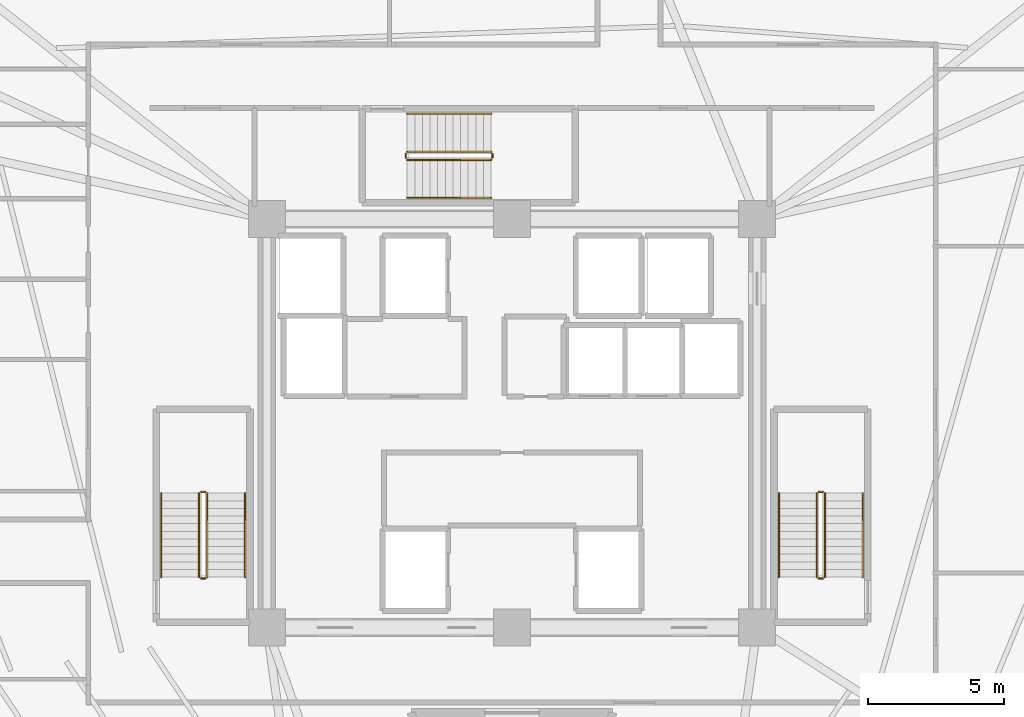
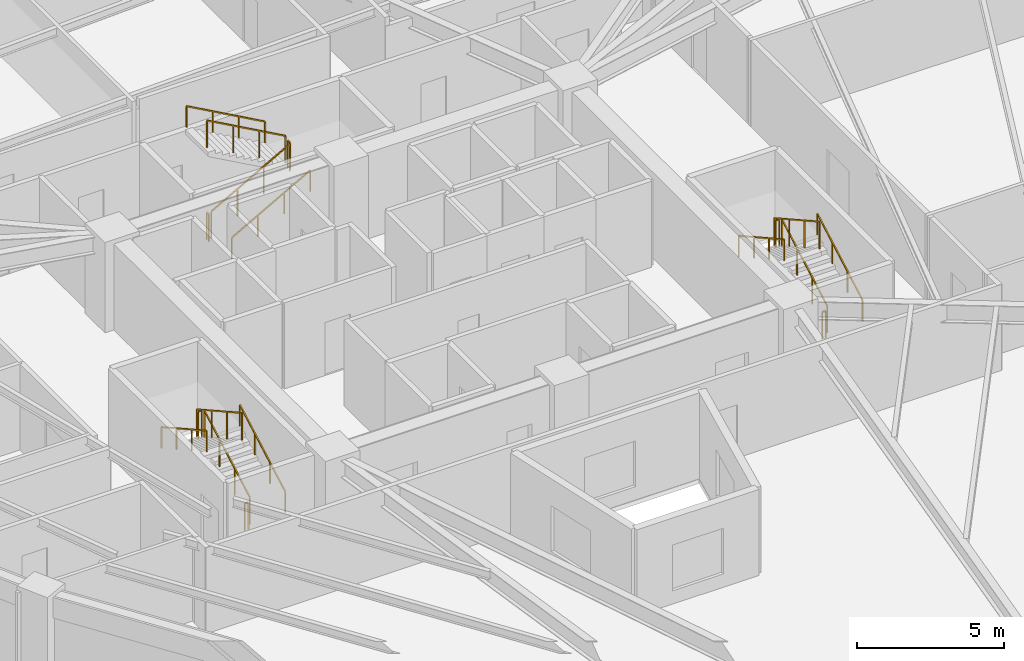
# One storey, part 8 of 9: 18 railings.
"""IFC4 building model written with IfcOpenShell, lengths in metres."""

from ifc_helpers import new_model, si_unit, direction, frame, origin, origin_2d, place, context, subcontext, project, spatial, rectangle, extrude, material, type_object, element, save


model = new_model("IFC4")

# Units and contexts
model_context = context("Model", 3, precision=1e-05, world=origin(), true_north=direction((0.0, 1.0)))
body_context = subcontext(model_context, "Body", "Model", "MODEL_VIEW")
ifc_project = project(units=[si_unit("LENGTHUNIT", "METRE"), si_unit("AREAUNIT", "SQUARE_METRE"), si_unit("VOLUMEUNIT", "CUBIC_METRE"), si_unit("PLANEANGLEUNIT", "RADIAN"), si_unit("MASSUNIT", "GRAM", prefix="KILO")], contexts=[model_context])

# Site, building, storey
site_placement = place(None, origin())
site = spatial("IfcSite", under=ifc_project, at=site_placement, CompositionType="ELEMENT")
building_placement = place(site_placement, origin())
building = spatial("IfcBuilding", under=site, at=building_placement, Name="Liaohun Quay Tower", CompositionType="ELEMENT")
storey_placement = place(building_placement, frame((0.0, 0.0, 236.25)))
storey = spatial("IfcBuildingStorey", under=building, at=storey_placement, Name="L61", CompositionType="ELEMENT", Elevation=236.25)

# Railings
ifc_material_1 = material(Name="Painted tubular steel", Category="steel")
railing_type_1 = type_object("IfcRailingType", Name="RLG-GUARD-STR", PredefinedType="GUARDRAIL", material=ifc_material_1)
railing_1_placement = place(storey_placement, frame((48.81005859375, 48.35009765625, 0.15625)))
element("IfcRailing", 1, at=railing_1_placement, inside=storey, type_object=railing_type_1, Name="L61 ST-1 stair guard 1", PredefinedType="GUARDRAIL", context=body_context, shape_type="SweptSolid", body=[
    extrude(rectangle(XDim=0.048095703125, YDim=0.048095703125, at=origin_2d()), frame((0.0, 0.0, 1.1259765625), z_axis=(0.0, 0.873225103656, 0.487317061414), x_axis=(-1.0, 0.0, 0.0)), (0.0, 0.0, 1.0), 3.52685546875),
    extrude(rectangle(XDim=0.0419921875, YDim=0.0419921875, at=origin_2d()), origin(), (0.0, 0.0, 1.0), 1.101806640625),
    extrude(rectangle(XDim=0.0419921875, YDim=0.0419921875, at=origin_2d()), frame((0.0, 1.026611328125, 0.572998046875)), (0.0, 0.0, 1.0), 1.101806640625),
    extrude(rectangle(XDim=0.0419921875, YDim=0.0419921875, at=origin_2d()), frame((0.0, 2.05322265625, 1.145751953125)), (0.0, 0.0, 1.0), 1.101806640625),
    extrude(rectangle(XDim=0.0419921875, YDim=0.0419921875, at=origin_2d()), frame((0.0, 3.079833984375, 1.71875)), (0.0, 0.0, 1.0), 1.101806640625),
])
railing_2_placement = place(storey_placement, frame((48.72998046875, 51.47998046875, 1.875)))
element("IfcRailing", 2, at=railing_2_placement, inside=storey, type_object=railing_type_1, Name="L61 ST-1 stair guard 2", PredefinedType="GUARDRAIL", context=body_context, shape_type="SweptSolid", body=[
    extrude(rectangle(XDim=0.048095703125, YDim=0.048095703125, at=origin_2d()), frame((0.0, 0.0, 1.1259765625), z_axis=(-1.0, 0.0, 0.0), x_axis=(0.0, -1.0, 0.0)), (0.0, 0.0, 1.0), 0.139892578125),
    extrude(rectangle(XDim=0.0419921875, YDim=0.0419921875, at=origin_2d()), origin(), (0.0, 0.0, 1.0), 1.101806640625),
    extrude(rectangle(XDim=0.0419921875, YDim=0.0419921875, at=origin_2d()), frame((-0.139892578125, 0.0, 0.0)), (0.0, 0.0, 1.0), 1.101806640625),
])
railing_3_placement = place(storey_placement, frame((48.510009765625, 51.429931640625, 2.03125)))
element("IfcRailing", 3, at=railing_3_placement, inside=storey, type_object=railing_type_1, Name="L61 ST-1 stair guard 3", PredefinedType="GUARDRAIL", context=body_context, shape_type="SweptSolid", body=[
    extrude(rectangle(XDim=0.048095703125, YDim=0.048095703125, at=origin_2d()), frame((0.0, 0.0, 1.1259765625), z_axis=(0.0, -0.873225103656, 0.487317061414), x_axis=(1.0, 0.0, 0.0)), (0.0, 0.0, 1.0), 3.52685546875),
    extrude(rectangle(XDim=0.0419921875, YDim=0.0419921875, at=origin_2d()), origin(), (0.0, 0.0, 1.0), 1.101806640625),
    extrude(rectangle(XDim=0.0419921875, YDim=0.0419921875, at=origin_2d()), frame((0.0, -1.026611328125, 0.572998046875)), (0.0, 0.0, 1.0), 1.101806640625),
    extrude(rectangle(XDim=0.0419921875, YDim=0.0419921875, at=origin_2d()), frame((0.0, -2.05322265625, 1.145751953125)), (0.0, 0.0, 1.0), 1.101806640625),
    extrude(rectangle(XDim=0.0419921875, YDim=0.0419921875, at=origin_2d()), frame((0.0, -3.079833984375, 1.71875)), (0.0, 0.0, 1.0), 1.101806640625),
])
railing_4_placement = place(storey_placement, frame((48.72998046875, 48.300048828125, 0.0)))
element("IfcRailing", 4, at=railing_4_placement, inside=storey, type_object=railing_type_1, Name="L61 ST-1 stair guard 4", PredefinedType="GUARDRAIL", context=body_context, shape_type="SweptSolid", body=[
    extrude(rectangle(XDim=0.048095703125, YDim=0.048095703125, at=origin_2d()), frame((0.0, 0.0, 1.1259765625), z_axis=(-1.0, 0.0, 0.0), x_axis=(0.0, -1.0, 0.0)), (0.0, 0.0, 1.0), 0.139892578125),
    extrude(rectangle(XDim=0.0419921875, YDim=0.0419921875, at=origin_2d()), origin(), (0.0, 0.0, 1.0), 1.101806640625),
    extrude(rectangle(XDim=0.0419921875, YDim=0.0419921875, at=origin_2d()), frame((-0.139892578125, 0.0, 0.0)), (0.0, 0.0, 1.0), 1.101806640625),
])
railing_5_placement = place(storey_placement, frame((71.489990234375, 48.35009765625, 0.15625)))
element("IfcRailing", 5, at=railing_5_placement, inside=storey, type_object=railing_type_1, Name="L61 ST-2 stair guard 1", PredefinedType="GUARDRAIL", context=body_context, shape_type="SweptSolid", body=[
    extrude(rectangle(XDim=0.048095703125, YDim=0.048095703125, at=origin_2d()), frame((0.0, 0.0, 1.1259765625), z_axis=(0.0, 0.873225103656, 0.487317061414), x_axis=(-1.0, 0.0, 0.0)), (0.0, 0.0, 1.0), 3.52685546875),
    extrude(rectangle(XDim=0.0419921875, YDim=0.0419921875, at=origin_2d()), origin(), (0.0, 0.0, 1.0), 1.101806640625),
    extrude(rectangle(XDim=0.0419921875, YDim=0.0419921875, at=origin_2d()), frame((0.0, 1.026611328125, 0.572998046875)), (0.0, 0.0, 1.0), 1.101806640625),
    extrude(rectangle(XDim=0.0419921875, YDim=0.0419921875, at=origin_2d()), frame((0.0, 2.05322265625, 1.145751953125)), (0.0, 0.0, 1.0), 1.101806640625),
    extrude(rectangle(XDim=0.0419921875, YDim=0.0419921875, at=origin_2d()), frame((0.0, 3.079833984375, 1.71875)), (0.0, 0.0, 1.0), 1.101806640625),
])
railing_6_placement = place(storey_placement, frame((71.409912109375, 51.47998046875, 1.875)))
element("IfcRailing", 6, at=railing_6_placement, inside=storey, type_object=railing_type_1, Name="L61 ST-2 stair guard 2", PredefinedType="GUARDRAIL", context=body_context, shape_type="SweptSolid", body=[
    extrude(rectangle(XDim=0.048095703125, YDim=0.048095703125, at=origin_2d()), frame((0.0, 0.0, 1.1259765625), z_axis=(-1.0, 0.0, 0.0), x_axis=(0.0, -1.0, 0.0)), (0.0, 0.0, 1.0), 0.139892578125),
    extrude(rectangle(XDim=0.0419921875, YDim=0.0419921875, at=origin_2d()), origin(), (0.0, 0.0, 1.0), 1.101806640625),
    extrude(rectangle(XDim=0.0419921875, YDim=0.0419921875, at=origin_2d()), frame((-0.139892578125, 0.0, 0.0)), (0.0, 0.0, 1.0), 1.101806640625),
])
railing_7_placement = place(storey_placement, frame((71.18994140625, 51.429931640625, 2.03125)))
element("IfcRailing", 7, at=railing_7_placement, inside=storey, type_object=railing_type_1, Name="L61 ST-2 stair guard 3", PredefinedType="GUARDRAIL", context=body_context, shape_type="SweptSolid", body=[
    extrude(rectangle(XDim=0.048095703125, YDim=0.048095703125, at=origin_2d()), frame((0.0, 0.0, 1.1259765625), z_axis=(0.0, -0.873225103656, 0.487317061414), x_axis=(1.0, 0.0, 0.0)), (0.0, 0.0, 1.0), 3.52685546875),
    extrude(rectangle(XDim=0.0419921875, YDim=0.0419921875, at=origin_2d()), origin(), (0.0, 0.0, 1.0), 1.101806640625),
    extrude(rectangle(XDim=0.0419921875, YDim=0.0419921875, at=origin_2d()), frame((0.0, -1.026611328125, 0.572998046875)), (0.0, 0.0, 1.0), 1.101806640625),
    extrude(rectangle(XDim=0.0419921875, YDim=0.0419921875, at=origin_2d()), frame((0.0, -2.05322265625, 1.145751953125)), (0.0, 0.0, 1.0), 1.101806640625),
    extrude(rectangle(XDim=0.0419921875, YDim=0.0419921875, at=origin_2d()), frame((0.0, -3.079833984375, 1.71875)), (0.0, 0.0, 1.0), 1.101806640625),
])
railing_8_placement = place(storey_placement, frame((71.409912109375, 48.300048828125, 0.0)))
element("IfcRailing", 8, at=railing_8_placement, inside=storey, type_object=railing_type_1, Name="L61 ST-2 stair guard 4", PredefinedType="GUARDRAIL", context=body_context, shape_type="SweptSolid", body=[
    extrude(rectangle(XDim=0.048095703125, YDim=0.048095703125, at=origin_2d()), frame((0.0, 0.0, 1.1259765625), z_axis=(-1.0, 0.0, 0.0), x_axis=(0.0, -1.0, 0.0)), (0.0, 0.0, 1.0), 0.139892578125),
    extrude(rectangle(XDim=0.0419921875, YDim=0.0419921875, at=origin_2d()), origin(), (0.0, 0.0, 1.0), 1.101806640625),
    extrude(rectangle(XDim=0.0419921875, YDim=0.0419921875, at=origin_2d()), frame((-0.139892578125, 0.0, 0.0)), (0.0, 0.0, 1.0), 1.101806640625),
])
railing_9_placement = place(storey_placement, frame((56.14990234375, 63.669921875, 0.15625)))
element("IfcRailing", 9, at=railing_9_placement, inside=storey, type_object=railing_type_1, Name="L61 ST-3 stair guard 1", PredefinedType="GUARDRAIL", context=body_context, shape_type="SweptSolid", body=[
    extrude(rectangle(XDim=0.048095703125, YDim=0.048095703125, at=origin_2d()), frame((0.0, 0.0, 1.1259765625), z_axis=(0.873241540666, 0.0, 0.487287606713), x_axis=(0.0, 1.0, 0.0)), (0.0, 0.0, 1.0), 3.527099609375),
    extrude(rectangle(XDim=0.0419921875, YDim=0.0419921875, at=origin_2d()), origin(), (0.0, 0.0, 1.0), 1.101806640625),
    extrude(rectangle(XDim=0.0419921875, YDim=0.0419921875, at=origin_2d()), frame((1.026611328125, 0.0, 0.572998046875)), (0.0, 0.0, 1.0), 1.101806640625),
    extrude(rectangle(XDim=0.0419921875, YDim=0.0419921875, at=origin_2d()), frame((2.053466796875, 0.0, 1.145751953125)), (0.0, 0.0, 1.0), 1.101806640625),
    extrude(rectangle(XDim=0.0419921875, YDim=0.0419921875, at=origin_2d()), frame((3.080078125, 0.0, 1.71875)), (0.0, 0.0, 1.0), 1.101806640625),
])
railing_10_placement = place(storey_placement, frame((59.280029296875, 63.75, 1.875)))
element("IfcRailing", 10, at=railing_10_placement, inside=storey, type_object=railing_type_1, Name="L61 ST-3 stair guard 2", PredefinedType="GUARDRAIL", context=body_context, shape_type="SweptSolid", body=[
    extrude(rectangle(XDim=0.048095703125, YDim=0.048095703125, at=origin_2d()), frame((0.0, 0.0, 1.1259765625), z_axis=(0.0, 1.0, 0.0), x_axis=(-1.0, 0.0, 0.0)), (0.0, 0.0, 1.0), 0.139892578125),
    extrude(rectangle(XDim=0.0419921875, YDim=0.0419921875, at=origin_2d()), origin(), (0.0, 0.0, 1.0), 1.101806640625),
    extrude(rectangle(XDim=0.0419921875, YDim=0.0419921875, at=origin_2d()), frame((0.0, 0.139892578125, 0.0)), (0.0, 0.0, 1.0), 1.101806640625),
])
railing_11_placement = place(storey_placement, frame((59.22998046875, 63.969970703125, 2.03125)))
element("IfcRailing", 11, at=railing_11_placement, inside=storey, type_object=railing_type_1, Name="L61 ST-3 stair guard 3", PredefinedType="GUARDRAIL", context=body_context, shape_type="SweptSolid", body=[
    extrude(rectangle(XDim=0.048095703125, YDim=0.048095703125, at=origin_2d()), frame((0.0, 0.0, 1.1259765625), z_axis=(-0.873241540666, 0.0, 0.487287606713), x_axis=(0.0, -1.0, 0.0)), (0.0, 0.0, 1.0), 3.527099609375),
    extrude(rectangle(XDim=0.0419921875, YDim=0.0419921875, at=origin_2d()), origin(), (0.0, 0.0, 1.0), 1.101806640625),
    extrude(rectangle(XDim=0.0419921875, YDim=0.0419921875, at=origin_2d()), frame((-1.026611328125, 0.0, 0.572998046875)), (0.0, 0.0, 1.0), 1.101806640625),
    extrude(rectangle(XDim=0.0419921875, YDim=0.0419921875, at=origin_2d()), frame((-2.053466796875, 0.0, 1.145751953125)), (0.0, 0.0, 1.0), 1.101806640625),
    extrude(rectangle(XDim=0.0419921875, YDim=0.0419921875, at=origin_2d()), frame((-3.080078125, 0.0, 1.71875)), (0.0, 0.0, 1.0), 1.101806640625),
])
railing_12_placement = place(storey_placement, frame((56.10009765625, 63.75, 0.0)))
element("IfcRailing", 12, at=railing_12_placement, inside=storey, type_object=railing_type_1, Name="L61 ST-3 stair guard 4", PredefinedType="GUARDRAIL", context=body_context, shape_type="SweptSolid", body=[
    extrude(rectangle(XDim=0.048095703125, YDim=0.048095703125, at=origin_2d()), frame((0.0, 0.0, 1.1259765625), z_axis=(0.0, 1.0, 0.0), x_axis=(-1.0, 0.0, 0.0)), (0.0, 0.0, 1.0), 0.139892578125),
    extrude(rectangle(XDim=0.0419921875, YDim=0.0419921875, at=origin_2d()), origin(), (0.0, 0.0, 1.0), 1.101806640625),
    extrude(rectangle(XDim=0.0419921875, YDim=0.0419921875, at=origin_2d()), frame((0.0, 0.139892578125, 0.0)), (0.0, 0.0, 1.0), 1.101806640625),
])
ifc_material_2 = material(Name="Brushed stainless steel", Category="steel")
railing_type_2 = type_object("IfcRailingType", Name="RLG-HND-STR", PredefinedType="HANDRAIL", material=ifc_material_2)
railing_13_placement = place(storey_placement, frame((50.199951171875, 48.35009765625, 0.15625)))
element("IfcRailing", 13, at=railing_13_placement, inside=storey, type_object=railing_type_2, Name="L61 ST-1 stair handrail 1", PredefinedType="HANDRAIL", context=body_context, shape_type="SweptSolid", body=[
    extrude(rectangle(XDim=0.048095703125, YDim=0.048095703125, at=origin_2d()), frame((0.0, 0.0, 0.8759765625), z_axis=(0.0, 0.873225103656, 0.487317061414), x_axis=(-1.0, 0.0, 0.0)), (0.0, 0.0, 1.0), 3.52685546875),
    extrude(rectangle(XDim=0.0419921875, YDim=0.0419921875, at=origin_2d()), origin(), (0.0, 0.0, 1.0), 0.851806640625),
    extrude(rectangle(XDim=0.0419921875, YDim=0.0419921875, at=origin_2d()), frame((0.0, 1.026611328125, 0.572998046875)), (0.0, 0.0, 1.0), 0.851806640625),
    extrude(rectangle(XDim=0.0419921875, YDim=0.0419921875, at=origin_2d()), frame((0.0, 2.05322265625, 1.145751953125)), (0.0, 0.0, 1.0), 0.851806640625),
    extrude(rectangle(XDim=0.0419921875, YDim=0.0419921875, at=origin_2d()), frame((0.0, 3.079833984375, 1.71875)), (0.0, 0.0, 1.0), 0.851806640625),
])
railing_14_placement = place(storey_placement, frame((47.1201171875, 51.429931640625, 2.03125)))
element("IfcRailing", 14, at=railing_14_placement, inside=storey, type_object=railing_type_2, Name="L61 ST-1 stair handrail 2", PredefinedType="HANDRAIL", context=body_context, shape_type="SweptSolid", body=[
    extrude(rectangle(XDim=0.048095703125, YDim=0.048095703125, at=origin_2d()), frame((0.0, 0.0, 0.8759765625), z_axis=(0.0, -0.873225103656, 0.487317061414), x_axis=(1.0, 0.0, 0.0)), (0.0, 0.0, 1.0), 3.52685546875),
    extrude(rectangle(XDim=0.0419921875, YDim=0.0419921875, at=origin_2d()), origin(), (0.0, 0.0, 1.0), 0.851806640625),
    extrude(rectangle(XDim=0.0419921875, YDim=0.0419921875, at=origin_2d()), frame((0.0, -1.026611328125, 0.572998046875)), (0.0, 0.0, 1.0), 0.851806640625),
    extrude(rectangle(XDim=0.0419921875, YDim=0.0419921875, at=origin_2d()), frame((0.0, -2.05322265625, 1.145751953125)), (0.0, 0.0, 1.0), 0.851806640625),
    extrude(rectangle(XDim=0.0419921875, YDim=0.0419921875, at=origin_2d()), frame((0.0, -3.079833984375, 1.71875)), (0.0, 0.0, 1.0), 0.851806640625),
])
railing_15_placement = place(storey_placement, frame((72.8798828125, 48.35009765625, 0.15625)))
element("IfcRailing", 15, at=railing_15_placement, inside=storey, type_object=railing_type_2, Name="L61 ST-2 stair handrail 1", PredefinedType="HANDRAIL", context=body_context, shape_type="SweptSolid", body=[
    extrude(rectangle(XDim=0.048095703125, YDim=0.048095703125, at=origin_2d()), frame((0.0, 0.0, 0.8759765625), z_axis=(0.0, 0.873225103656, 0.487317061414), x_axis=(-1.0, 0.0, 0.0)), (0.0, 0.0, 1.0), 3.52685546875),
    extrude(rectangle(XDim=0.0419921875, YDim=0.0419921875, at=origin_2d()), origin(), (0.0, 0.0, 1.0), 0.851806640625),
    extrude(rectangle(XDim=0.0419921875, YDim=0.0419921875, at=origin_2d()), frame((0.0, 1.026611328125, 0.572998046875)), (0.0, 0.0, 1.0), 0.851806640625),
    extrude(rectangle(XDim=0.0419921875, YDim=0.0419921875, at=origin_2d()), frame((0.0, 2.05322265625, 1.145751953125)), (0.0, 0.0, 1.0), 0.851806640625),
    extrude(rectangle(XDim=0.0419921875, YDim=0.0419921875, at=origin_2d()), frame((0.0, 3.079833984375, 1.71875)), (0.0, 0.0, 1.0), 0.851806640625),
])
railing_16_placement = place(storey_placement, frame((69.800048828125, 51.429931640625, 2.03125)))
element("IfcRailing", 16, at=railing_16_placement, inside=storey, type_object=railing_type_2, Name="L61 ST-2 stair handrail 2", PredefinedType="HANDRAIL", context=body_context, shape_type="SweptSolid", body=[
    extrude(rectangle(XDim=0.048095703125, YDim=0.048095703125, at=origin_2d()), frame((0.0, 0.0, 0.8759765625), z_axis=(0.0, -0.873225103656, 0.487317061414), x_axis=(1.0, 0.0, 0.0)), (0.0, 0.0, 1.0), 3.52685546875),
    extrude(rectangle(XDim=0.0419921875, YDim=0.0419921875, at=origin_2d()), origin(), (0.0, 0.0, 1.0), 0.851806640625),
    extrude(rectangle(XDim=0.0419921875, YDim=0.0419921875, at=origin_2d()), frame((0.0, -1.026611328125, 0.572998046875)), (0.0, 0.0, 1.0), 0.851806640625),
    extrude(rectangle(XDim=0.0419921875, YDim=0.0419921875, at=origin_2d()), frame((0.0, -2.05322265625, 1.145751953125)), (0.0, 0.0, 1.0), 0.851806640625),
    extrude(rectangle(XDim=0.0419921875, YDim=0.0419921875, at=origin_2d()), frame((0.0, -3.079833984375, 1.71875)), (0.0, 0.0, 1.0), 0.851806640625),
])
railing_17_placement = place(storey_placement, frame((56.14990234375, 62.280029296875, 0.15625)))
element("IfcRailing", 17, at=railing_17_placement, inside=storey, type_object=railing_type_2, Name="L61 ST-3 stair handrail 1", PredefinedType="HANDRAIL", context=body_context, shape_type="SweptSolid", body=[
    extrude(rectangle(XDim=0.048095703125, YDim=0.048095703125, at=origin_2d()), frame((0.0, 0.0, 0.8759765625), z_axis=(0.873241540666, 0.0, 0.487287606713), x_axis=(0.0, 1.0, 0.0)), (0.0, 0.0, 1.0), 3.527099609375),
    extrude(rectangle(XDim=0.0419921875, YDim=0.0419921875, at=origin_2d()), origin(), (0.0, 0.0, 1.0), 0.851806640625),
    extrude(rectangle(XDim=0.0419921875, YDim=0.0419921875, at=origin_2d()), frame((1.026611328125, 0.0, 0.572998046875)), (0.0, 0.0, 1.0), 0.851806640625),
    extrude(rectangle(XDim=0.0419921875, YDim=0.0419921875, at=origin_2d()), frame((2.053466796875, 0.0, 1.145751953125)), (0.0, 0.0, 1.0), 0.851806640625),
    extrude(rectangle(XDim=0.0419921875, YDim=0.0419921875, at=origin_2d()), frame((3.080078125, 0.0, 1.71875)), (0.0, 0.0, 1.0), 0.851806640625),
])
railing_18_placement = place(storey_placement, frame((59.22998046875, 65.360107421875, 2.03125)))
element("IfcRailing", 18, at=railing_18_placement, inside=storey, type_object=railing_type_2, Name="L61 ST-3 stair handrail 2", PredefinedType="HANDRAIL", context=body_context, shape_type="SweptSolid", body=[
    extrude(rectangle(XDim=0.048095703125, YDim=0.048095703125, at=origin_2d()), frame((0.0, 0.0, 0.8759765625), z_axis=(-0.873241540666, 0.0, 0.487287606713), x_axis=(0.0, -1.0, 0.0)), (0.0, 0.0, 1.0), 3.527099609375),
    extrude(rectangle(XDim=0.0419921875, YDim=0.0419921875, at=origin_2d()), origin(), (0.0, 0.0, 1.0), 0.851806640625),
    extrude(rectangle(XDim=0.0419921875, YDim=0.0419921875, at=origin_2d()), frame((-1.026611328125, 0.0, 0.572998046875)), (0.0, 0.0, 1.0), 0.851806640625),
    extrude(rectangle(XDim=0.0419921875, YDim=0.0419921875, at=origin_2d()), frame((-2.053466796875, 0.0, 1.145751953125)), (0.0, 0.0, 1.0), 0.851806640625),
    extrude(rectangle(XDim=0.0419921875, YDim=0.0419921875, at=origin_2d()), frame((-3.080078125, 0.0, 1.71875)), (0.0, 0.0, 1.0), 0.851806640625),
])

save(model, "model.ifc")
